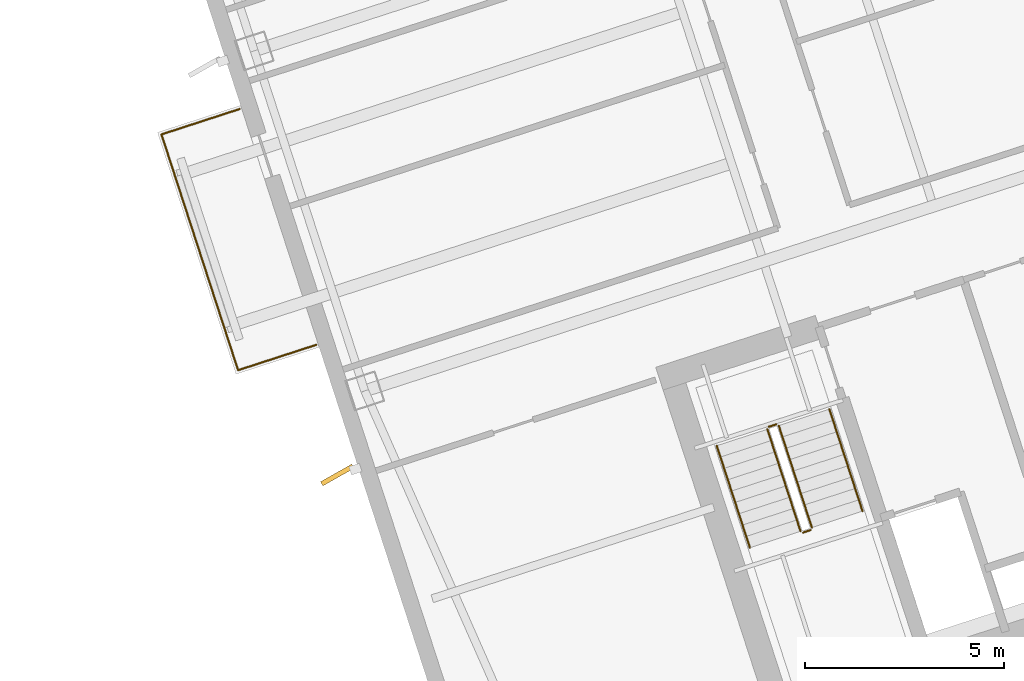
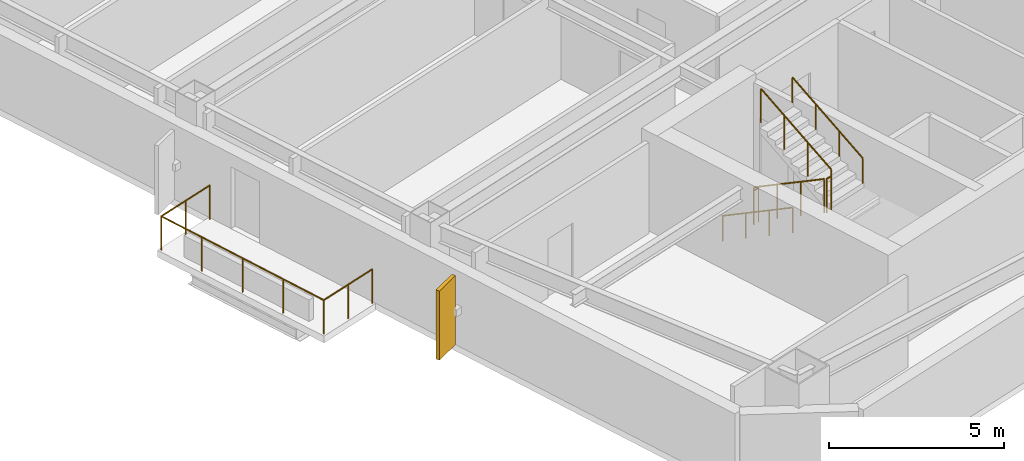
# One storey, part 17 of 18: 7 railings, 1 shading device.
"""IFC4 building model written with IfcOpenShell, lengths in metres."""

from ifc_helpers import new_model, si_unit, direction, frame, origin, origin_2d, place, context, subcontext, project, spatial, rectangle, circle, extrude, material, layer, layer_set, type_object, element, save


model = new_model("IFC4")

# Units and contexts
model_context = context("Model", 3, precision=1e-05, world=origin(), true_north=direction((0.0, 1.0)))
body_context = subcontext(model_context, "Body", "Model", "MODEL_VIEW")
ifc_project = project(units=[si_unit("LENGTHUNIT", "METRE"), si_unit("AREAUNIT", "SQUARE_METRE"), si_unit("VOLUMEUNIT", "CUBIC_METRE"), si_unit("PLANEANGLEUNIT", "RADIAN"), si_unit("MASSUNIT", "GRAM", prefix="KILO")], contexts=[model_context])

# Site, building, storey
site_placement = place(None, origin())
site = spatial("IfcSite", under=ifc_project, at=site_placement, CompositionType="ELEMENT")
building_placement = place(site_placement, origin())
building = spatial("IfcBuilding", under=site, at=building_placement, Name="Qiaolan Cultural Towers", CompositionType="ELEMENT")
storey_placement = place(building_placement, frame((0.0, 0.0, 173.64990234375)))
storey = spatial("IfcBuildingStorey", under=building, at=storey_placement, Name="L46", CompositionType="ELEMENT", Elevation=173.64990234375)

# Railings
ifc_material_1 = material(Name="Laminated SentryGlas & Stainless Steel S31608 Balustrade", Category="steel")
railing_type_1 = type_object("IfcRailingType", Name="GRD-TERR-1200", PredefinedType="BALUSTRADE", material=ifc_material_1)
railing_1_placement = place(storey_placement, frame((77.24951171875, 21.9501953125, 0.0)))
element("IfcRailing", 1, at=railing_1_placement, inside=storey, type_object=railing_type_1, Name="L46 T2 Tree Balcony Guardrail W", PredefinedType="BALUSTRADE", context=body_context, shape_type="SweptSolid", body=[
    extrude(circle(Radius=0.02392578125, at=origin_2d()), frame((0.0, 0.0, 1.17578125), z_axis=(-0.951061799618, -0.309000733507, 0.0), x_axis=(0.309000733507, -0.951061799618, 0.0)), (0.0, 0.0, 1.0), 2.070068359375),
    extrude(circle(Radius=0.02392578125, at=origin_2d()), frame((-1.96875, -0.6396484375, 1.17578125), z_axis=(-0.30901175762, 0.951058217804, 0.0), x_axis=(-0.951058217804, -0.30901175762, 0.0)), (0.0, 0.0, 1.0), 6.239990234375),
    extrude(circle(Radius=0.02392578125, at=origin_2d()), frame((-3.89697265625, 5.294921875, 1.17578125), z_axis=(0.951061799618, 0.309000733507, 0.0), x_axis=(-0.309000733507, 0.951061799618, 0.0)), (0.0, 0.0, 1.0), 2.070068359375),
    extrude(circle(Radius=0.02099609375, at=origin_2d()), origin(), (0.0, 0.0, 1.0), 1.15185546875),
    extrude(circle(Radius=0.02099609375, at=origin_2d()), frame((-0.984375, -0.31982421875, 0.0)), (0.0, 0.0, 1.0), 1.15185546875),
    extrude(circle(Radius=0.02099609375, at=origin_2d()), frame((-1.96875, -0.6396484375, 0.0)), (0.0, 0.0, 1.0), 1.15185546875),
    extrude(circle(Radius=0.02099609375, at=origin_2d()), frame((-2.45068359375, 0.843994140625, 0.0)), (0.0, 0.0, 1.0), 1.15185546875),
    extrude(circle(Radius=0.02099609375, at=origin_2d()), frame((-2.932861328125, 2.32763671875, 0.0)), (0.0, 0.0, 1.0), 1.15185546875),
    extrude(circle(Radius=0.02099609375, at=origin_2d()), frame((-3.4150390625, 3.811279296875, 0.0)), (0.0, 0.0, 1.0), 1.15185546875),
    extrude(circle(Radius=0.02099609375, at=origin_2d()), frame((-3.89697265625, 5.294921875, 0.0)), (0.0, 0.0, 1.0), 1.15185546875),
    extrude(circle(Radius=0.02099609375, at=origin_2d()), frame((-2.91259765625, 5.61474609375, 0.0)), (0.0, 0.0, 1.0), 1.15185546875),
    extrude(circle(Radius=0.02099609375, at=origin_2d()), frame((-1.92822265625, 5.9345703125, 0.0)), (0.0, 0.0, 1.0), 1.15185546875),
])
ifc_material_2 = material(Name="Galvanized Painted Steel Stair Guardrail", Category="steel")
railing_type_2 = type_object("IfcRailingType", Name="RL-STAIR-GRD", PredefinedType="GUARDRAIL", material=ifc_material_2)
railing_2_placement = place(storey_placement, frame((88.60205078125, 19.82421875, 0.172607421875)))
element("IfcRailing", 2, at=railing_2_placement, inside=storey, type_object=railing_type_2, Name="L46 ST-E1 stair guard 1", PredefinedType="GUARDRAIL", context=body_context, shape_type="SweptSolid", body=[
    extrude(circle(Radius=0.02392578125, at=origin_2d()), frame((0.0, 0.0, 1.17578125), z_axis=(0.267925668498, -0.824471088726, 0.498460891159), x_axis=(0.951043371037, 0.309057448393, 0.0)), (0.0, 0.0, 1.0), 3.114501953125),
    extrude(circle(Radius=0.02099609375, at=origin_2d()), origin(), (0.0, 0.0, 1.0), 1.15185546875),
    extrude(circle(Radius=0.02099609375, at=origin_2d()), frame((0.278076171875, -0.85595703125, 0.517578125)), (0.0, 0.0, 1.0), 1.15185546875),
    extrude(circle(Radius=0.02099609375, at=origin_2d()), frame((0.556396484375, -1.7119140625, 1.034912109375)), (0.0, 0.0, 1.0), 1.15185546875),
    extrude(circle(Radius=0.02099609375, at=origin_2d()), frame((0.83447265625, -2.56787109375, 1.552490234375)), (0.0, 0.0, 1.0), 1.15185546875),
])
railing_3_placement = place(storey_placement, frame((89.49951171875, 17.224365234375, 1.72509765625)))
element("IfcRailing", 3, at=railing_3_placement, inside=storey, type_object=railing_type_2, Name="L46 ST-E1 stair guard 2", PredefinedType="GUARDRAIL", context=body_context, shape_type="SweptSolid", body=[
    extrude(circle(Radius=0.02392578125, at=origin_2d()), frame((0.0, 0.0, 1.17578125), z_axis=(0.951096855055, 0.308892816854, 0.0), x_axis=(-0.308892816854, 0.951096855055, 0.0)), (0.0, 0.0, 1.0), 0.199951171875),
    extrude(circle(Radius=0.02099609375, at=origin_2d()), origin(), (0.0, 0.0, 1.0), 1.15185546875),
    extrude(circle(Radius=0.02099609375, at=origin_2d()), frame((0.190185546875, 0.061767578125, 0.0)), (0.0, 0.0, 1.0), 1.15185546875),
])
railing_4_placement = place(storey_placement, frame((89.721923828125, 17.34912109375, 1.897705078125)))
element("IfcRailing", 4, at=railing_4_placement, inside=storey, type_object=railing_type_2, Name="L46 ST-E1 stair guard 3", PredefinedType="GUARDRAIL", context=body_context, shape_type="SweptSolid", body=[
    extrude(circle(Radius=0.02392578125, at=origin_2d()), frame((0.0, 0.0, 1.17578125), z_axis=(-0.267925668498, 0.824471088726, 0.498460891159), x_axis=(-0.951043371037, -0.309057448393, 0.0)), (0.0, 0.0, 1.0), 3.114501953125),
    extrude(circle(Radius=0.02099609375, at=origin_2d()), origin(), (0.0, 0.0, 1.0), 1.15185546875),
    extrude(circle(Radius=0.02099609375, at=origin_2d()), frame((-0.278076171875, 0.85595703125, 0.517578125)), (0.0, 0.0, 1.0), 1.15185546875),
    extrude(circle(Radius=0.02099609375, at=origin_2d()), frame((-0.556396484375, 1.7119140625, 1.034912109375)), (0.0, 0.0, 1.0), 1.15185546875),
    extrude(circle(Radius=0.02099609375, at=origin_2d()), frame((-0.83447265625, 2.56787109375, 1.552490234375)), (0.0, 0.0, 1.0), 1.15185546875),
])
railing_5_placement = place(storey_placement, frame((88.63427734375, 19.88720703125, 0.0)))
element("IfcRailing", 5, at=railing_5_placement, inside=storey, type_object=railing_type_2, Name="L46 ST-E1 stair guard 4", PredefinedType="GUARDRAIL", context=body_context, shape_type="SweptSolid", body=[
    extrude(circle(Radius=0.02392578125, at=origin_2d()), frame((0.0, 0.0, 1.17578125), z_axis=(0.951096855055, 0.308892816854, 0.0), x_axis=(-0.308892816854, 0.951096855055, 0.0)), (0.0, 0.0, 1.0), 0.199951171875),
    extrude(circle(Radius=0.02099609375, at=origin_2d()), origin(), (0.0, 0.0, 1.0), 1.15185546875),
    extrude(circle(Radius=0.02099609375, at=origin_2d()), frame((0.190185546875, 0.061767578125, 0.0)), (0.0, 0.0, 1.0), 1.15185546875),
])
ifc_material_3 = material(Name="Stainless Steel S30408 Tubular Handrail", Category="steel")
railing_type_3 = type_object("IfcRailingType", Name="RL-STAIR-HR", PredefinedType="HANDRAIL", material=ifc_material_3)
railing_6_placement = place(storey_placement, frame((87.32763671875, 19.41015625, 0.172607421875)))
element("IfcRailing", 6, at=railing_6_placement, inside=storey, type_object=railing_type_3, Name="L46 ST-E1 stair handrail 1", PredefinedType="HANDRAIL", context=body_context, shape_type="SweptSolid", body=[
    extrude(circle(Radius=0.02392578125, at=origin_2d()), frame((0.0, 0.0, 0.8759765625), z_axis=(0.267925668498, -0.824471088726, 0.498460891159), x_axis=(0.951043371037, 0.309057448393, 0.0)), (0.0, 0.0, 1.0), 3.114501953125),
    extrude(circle(Radius=0.02099609375, at=origin_2d()), origin(), (0.0, 0.0, 1.0), 0.851806640625),
    extrude(circle(Radius=0.02099609375, at=origin_2d()), frame((0.278076171875, -0.85595703125, 0.517578125)), (0.0, 0.0, 1.0), 0.851806640625),
    extrude(circle(Radius=0.02099609375, at=origin_2d()), frame((0.556396484375, -1.7119140625, 1.034912109375)), (0.0, 0.0, 1.0), 0.851806640625),
    extrude(circle(Radius=0.02099609375, at=origin_2d()), frame((0.83447265625, -2.56787109375, 1.552490234375)), (0.0, 0.0, 1.0), 0.851806640625),
])
railing_7_placement = place(storey_placement, frame((90.996337890625, 17.76318359375, 1.897705078125)))
element("IfcRailing", 7, at=railing_7_placement, inside=storey, type_object=railing_type_3, Name="L46 ST-E1 stair handrail 2", PredefinedType="HANDRAIL", context=body_context, shape_type="SweptSolid", body=[
    extrude(circle(Radius=0.02392578125, at=origin_2d()), frame((0.0, 0.0, 0.8759765625), z_axis=(-0.267925668498, 0.824471088726, 0.498460891159), x_axis=(-0.951043371037, -0.309057448393, 0.0)), (0.0, 0.0, 1.0), 3.114501953125),
    extrude(circle(Radius=0.02099609375, at=origin_2d()), origin(), (0.0, 0.0, 1.0), 0.851806640625),
    extrude(circle(Radius=0.02099609375, at=origin_2d()), frame((-0.278076171875, 0.85595703125, 0.517578125)), (0.0, 0.0, 1.0), 0.851806640625),
    extrude(circle(Radius=0.02099609375, at=origin_2d()), frame((-0.556396484375, 1.7119140625, 1.034912109375)), (0.0, 0.0, 1.0), 0.851806640625),
    extrude(circle(Radius=0.02099609375, at=origin_2d()), frame((-0.83447265625, 2.56787109375, 1.552490234375)), (0.0, 0.0, 1.0), 0.851806640625),
])

# Shading device
ifc_material_4 = material(Name="Pierced Warm Terracotta Acoustic Fin", Category="masonry")
ifc_layer = layer(ifc_material_4, 0.1201171875)
ifc_layer_set = layer_set([ifc_layer], Name="Pierced Warm Terracotta Acoustic Fin")
shading_device_type = type_object("IfcShadingDeviceType", Name="SHD-FIN-PIERCED", PredefinedType="USERDEFINED", material=ifc_layer_set)
shading_device_placement = place(storey_placement, frame((77.778076171875, 18.673095703125, 0.10009765625), z_axis=(0.0, 0.0, 1.0), x_axis=(0.870435896044, 0.492281779958, 0.0)))
element("IfcShadingDevice", 8, at=shading_device_placement, inside=storey, type_object=shading_device_type, Name="L46 T2 Expressive Precast Vertical Fin W1", ObjectType="FIN", PredefinedType="USERDEFINED", context=body_context, shape_type="SweptSolid", body=[
    extrude(rectangle(XDim=0.89990234375, YDim=0.1201171875, at=origin_2d()), origin(), (0.0, 0.0, 1.0), 2.409912109375),
])

save(model, "model.ifc")
